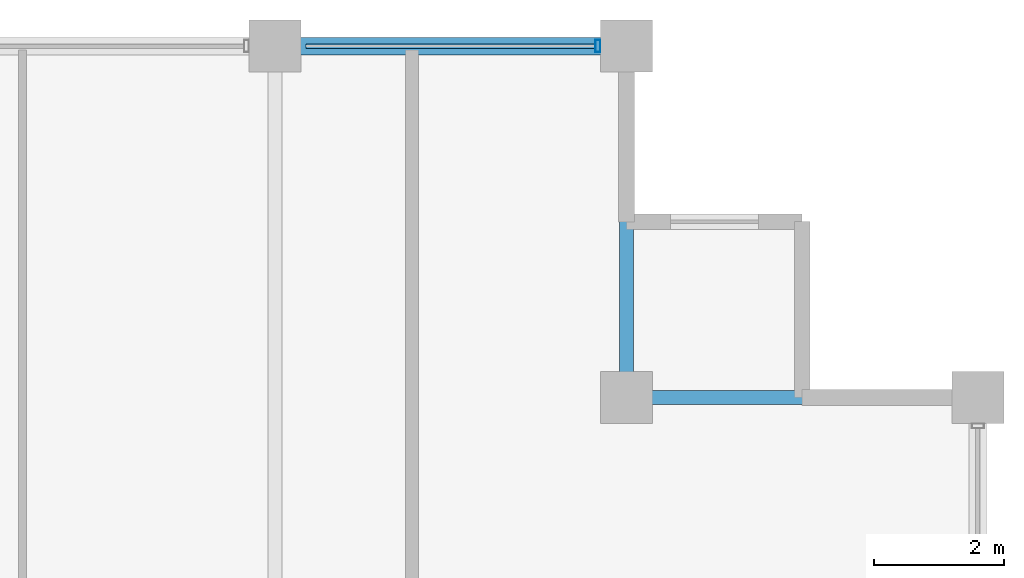
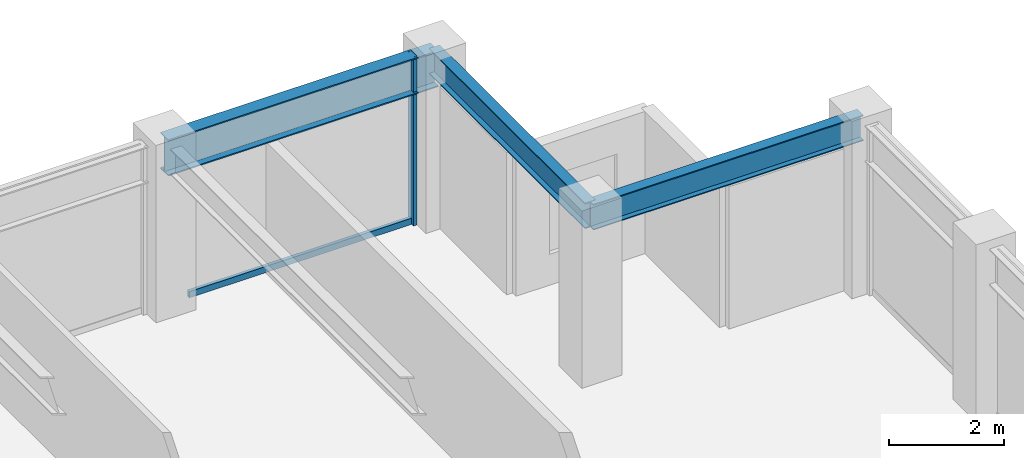
# One storey, part 24 of 32: 3 beams, 2 members, 1 element without a shape of its own.
"""IFC4 building model written with IfcOpenShell, lengths in metres."""

from ifc_helpers import new_model, si_unit, direction, frame, origin, origin_2d, place, context, subcontext, project, spatial, hollow_rectangle, i_section, extrude, material, layer, layer_set, material_profile, profile_set, type_object, element, aggregate, save


model = new_model("IFC4")

# Units and contexts
model_context = context("Model", 3, precision=1e-05, world=origin(), true_north=direction((0.0, 1.0)))
body_context = subcontext(model_context, "Body", "Model", "MODEL_VIEW")
ifc_project = project(units=[si_unit("LENGTHUNIT", "METRE"), si_unit("AREAUNIT", "SQUARE_METRE"), si_unit("VOLUMEUNIT", "CUBIC_METRE"), si_unit("PLANEANGLEUNIT", "RADIAN"), si_unit("MASSUNIT", "GRAM", prefix="KILO")], contexts=[model_context])

# Site, building, storey
site_placement = place(None, origin())
site = spatial("IfcSite", under=ifc_project, at=site_placement, CompositionType="ELEMENT")
building_placement = place(site_placement, origin())
building = spatial("IfcBuilding", under=site, at=building_placement, Name="Surkhivell Harbour Commons", CompositionType="ELEMENT")
storey_placement = place(building_placement, frame((0.0, 0.0, 219.75)))
storey = spatial("IfcBuildingStorey", under=building, at=storey_placement, Name="L57", CompositionType="ELEMENT", Elevation=219.75)

# Beams
ifc_material_1 = material(Name="Steel S355", Category="steel")
ifc_material_profile_1 = material_profile(ifc_material_1, i_section(OverallWidth=0.2119140625, OverallDepth=0.5439453125, WebThickness=0.0126953125, FlangeThickness=0.021240234375, at=origin_2d()), Name="UB533x210x122")
ifc_profile_set_1 = profile_set([ifc_material_profile_1], Name="Steel S355")
beam_type_1 = type_object("IfcBeamType", Name="BM-GRD-533A", PredefinedType="BEAM", material=ifc_profile_set_1)
beam_1_placement = place(storey_placement, frame((16.199951171875, 20.5, 3.298095703125), z_axis=(0.0, 1.0, 0.0), x_axis=(-1.0, 0.0, 0.0)))
element("IfcBeam", 1, at=beam_1_placement, inside=storey, type_object=beam_type_1, Name="L57 Floor Girder (16.2,20.5)", PredefinedType="BEAM", context=body_context, shape_type="SweptSolid", body=[
    extrude(i_section(OverallWidth=0.2119140625, OverallDepth=0.5439453125, WebThickness=0.0126953125, FlangeThickness=0.021240234375, at=origin_2d()), origin(), (0.0, 0.0, 1.0), 5.39990234375),
])
beam_2_placement = place(storey_placement, frame((16.199951171875, 20.5, 3.298095703125), z_axis=(1.0, 0.0, 0.0), x_axis=(0.0, 1.0, 0.0)))
element("IfcBeam", 2, at=beam_2_placement, inside=storey, type_object=beam_type_1, Name="L57 Floor Girder (16.2,20.5)", PredefinedType="BEAM", context=body_context, shape_type="SweptSolid", body=[
    extrude(i_section(OverallWidth=0.2119140625, OverallDepth=0.5439453125, WebThickness=0.0126953125, FlangeThickness=0.021240234375, at=origin_2d()), origin(), (0.0, 0.0, 1.0), 5.400146484375),
])
ifc_material_profile_2 = material_profile(ifc_material_1, i_section(OverallWidth=0.26806640625, OverallDepth=0.77001953125, WebThickness=0.015625, FlangeThickness=0.025390625, at=origin_2d()), Name="UB762x267x197")
ifc_profile_set_2 = profile_set([ifc_material_profile_2], Name="Steel S355")
beam_type_2 = type_object("IfcBeamType", Name="BM-SPN-762", PredefinedType="SPANDREL", material=ifc_profile_set_2)
beam_3_placement = place(storey_placement, frame((10.800048828125, 25.89990234375, 3.18505859375), z_axis=(1.0, 0.0, 0.0), x_axis=(0.0, 1.0, 0.0)))
element("IfcBeam", 3, at=beam_3_placement, inside=storey, type_object=beam_type_2, Name="L57 Tube Spandrel (10.8,25.9)", PredefinedType="SPANDREL", context=body_context, shape_type="SweptSolid", body=[
    extrude(i_section(OverallWidth=0.26806640625, OverallDepth=0.77001953125, WebThickness=0.015625, FlangeThickness=0.025390625, at=origin_2d()), origin(), (0.0, 0.0, 1.0), 5.39990234375),
])

# Curtain wall, members
ifc_material_2 = material(Name="Anodised pale-metal aluminium and insulated glazing", Category="aluminium")
ifc_layer = layer(ifc_material_2, 0.18994140625)
ifc_layer_set = layer_set([ifc_layer], Name="Anodised pale-metal aluminium and insulated glazing")
curtain_wall_type = type_object("IfcCurtainWallType", Name="CW-SYS-Z3", PredefinedType="NOTDEFINED", material=ifc_layer_set)
curtain_wall_placement = place(storey_placement, origin())
curtain_wall = element("IfcCurtainWall", 4, at=curtain_wall_placement, inside=storey, type_object=curtain_wall_type, Name="L57 Curtain Wall CW-L57-E07S1", PredefinedType="NOTDEFINED")
ifc_material_3 = material(Name="Anodised pale-metal aluminium alloy 6063-T6", Category="aluminium")
ifc_material_profile_3 = material_profile(ifc_material_3, hollow_rectangle(XDim=0.074951171875, YDim=0.18994140625, WallThickness=0.00390625, at=origin_2d()), Name="ALU-MULL-75x190")
ifc_profile_set_3 = profile_set([ifc_material_profile_3], Name="Anodised pale-metal aluminium alloy 6063-T6")
member_type_1 = type_object("IfcMemberType", Name="CWM-190", PredefinedType="MULLION", material=ifc_profile_set_3)
member_1_placement = place(storey_placement, frame((15.760498046875, 25.89990234375, 0.0), z_axis=(0.0, 0.0, 1.0), x_axis=(-1.0, 0.0, 0.0)))
member_1 = element("IfcMember", 5, at=member_1_placement, type_object=member_type_1, Name="CW-Z3 mullion 1", PredefinedType="MULLION", context=body_context, shape_type="SweptSolid", body=[
    extrude(hollow_rectangle(XDim=0.074951171875, YDim=0.18994140625, WallThickness=0.00390625, at=origin_2d()), origin(), (0.0, 0.0, 1.0), 3.570068359375),
])
ifc_material_4 = material(Name="Champagne anodised aluminium alloy 6063-T6", Category="aluminium")
ifc_material_profile_4 = material_profile(ifc_material_4, hollow_rectangle(XDim=0.070068359375, YDim=0.1298828125, WallThickness=0.00341796875, at=origin_2d()), Name="ALU-TRAN-70x130")
ifc_profile_set_4 = profile_set([ifc_material_profile_4], Name="Champagne anodised aluminium alloy 6063-T6")
member_type_2 = type_object("IfcMemberType", Name="CWT-130", PredefinedType="USERDEFINED", material=ifc_profile_set_4)
member_2_placement = place(storey_placement, frame((15.722900390625, 25.89990234375, 0.06494140625), z_axis=(-1.0, 0.0, 0.0), x_axis=(0.0, -1.0, 0.0)))
member_2 = element("IfcMember", 6, at=member_2_placement, type_object=member_type_2, Name="CW-Z3 transom 1.1", ObjectType="TRANSOM", PredefinedType="USERDEFINED", context=body_context, shape_type="SweptSolid", body=[
    extrude(hollow_rectangle(XDim=0.070068359375, YDim=0.1298828125, WallThickness=0.00341796875, at=origin_2d()), origin(), (0.0, 0.0, 1.0), 4.44580078125),
])
aggregate(curtain_wall, [member_1, member_2])

save(model, "model.ifc")
